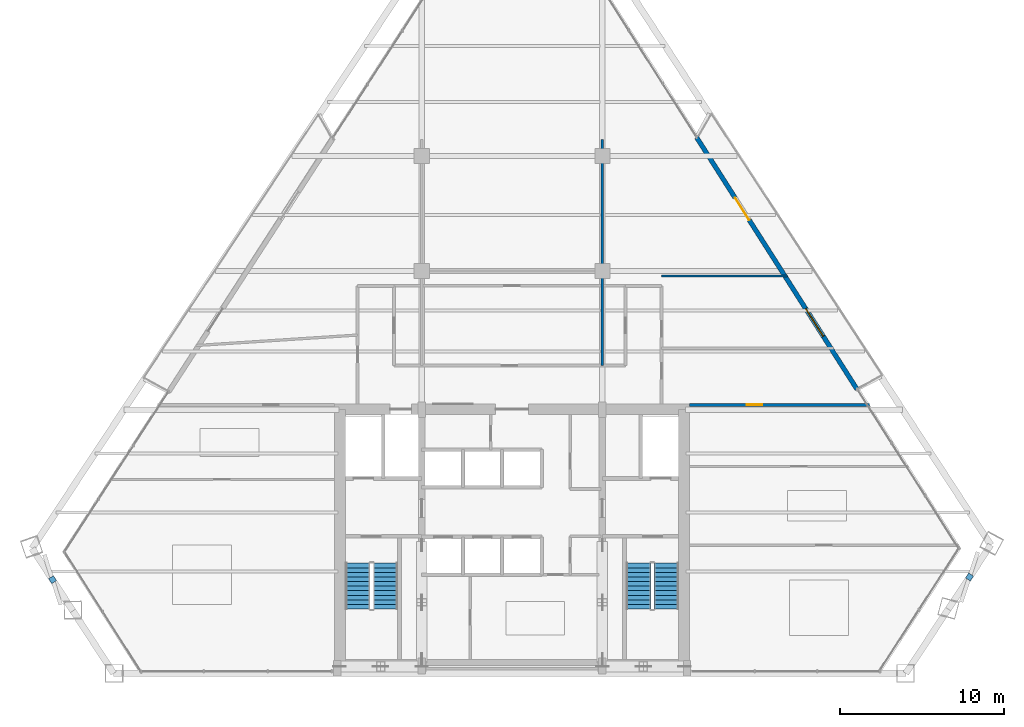
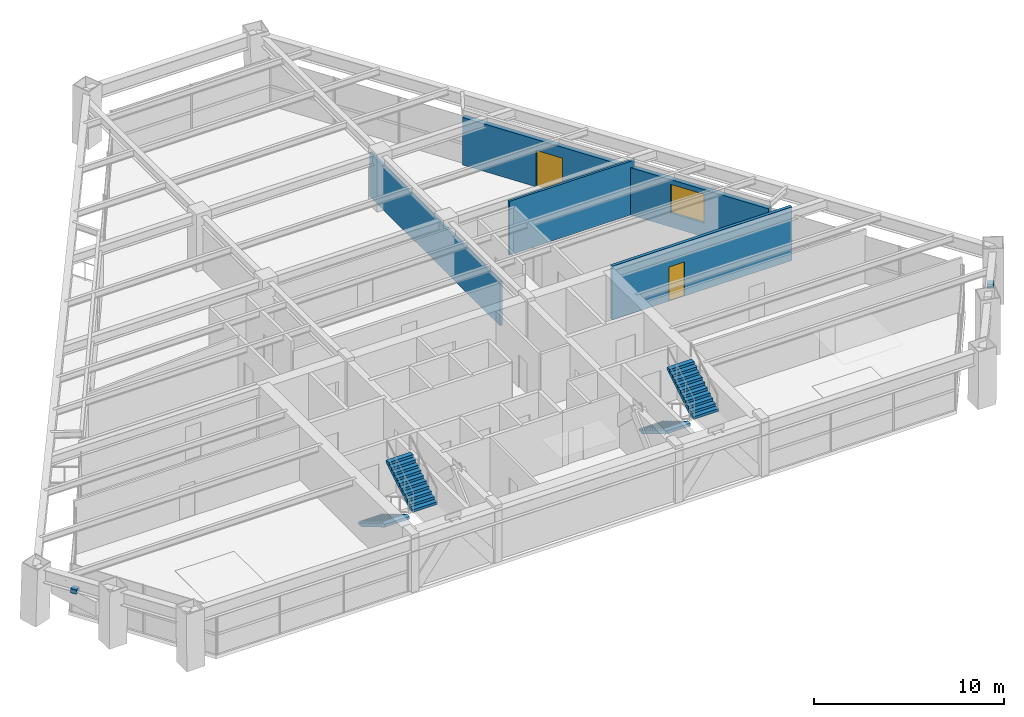
# One storey, part 13 of 15: 4 stair flights, 4 walls, 2 discrete accessories, 2 doors, 1 window, 3 openings, 2 elements without a shape of their own.
"""IFC4 building model written with IfcOpenShell, lengths in metres."""

from ifc_helpers import new_model, si_unit, direction, frame, frame_2d, origin, origin_2d, place, context, subcontext, project, spatial, polyline, rectangle, outline, extrude, source, transform, mapped, material, layer, layer_set, type_object, type_shapes, element, fill, aggregate, save


model = new_model("IFC4")

# Units and contexts
model_context = context("Model", 3, precision=1e-05, world=origin(), true_north=direction((0.0, 1.0)))
body_context = subcontext(model_context, "Body", "Model", "MODEL_VIEW")
ifc_project = project(units=[si_unit("LENGTHUNIT", "METRE"), si_unit("AREAUNIT", "SQUARE_METRE"), si_unit("VOLUMEUNIT", "CUBIC_METRE"), si_unit("PLANEANGLEUNIT", "RADIAN"), si_unit("MASSUNIT", "GRAM", prefix="KILO")], contexts=[model_context])

# Site, building, storey
site_placement = place(None, origin())
site = spatial("IfcSite", under=ifc_project, at=site_placement, CompositionType="ELEMENT")
building_placement = place(site_placement, origin())
building = spatial("IfcBuilding", under=site, at=building_placement, Name="Varnakhor Terracotta Tower", CompositionType="ELEMENT")
storey_placement = place(building_placement, frame((0.0, 0.0, 144.10009765625)))
storey = spatial("IfcBuildingStorey", under=building, at=storey_placement, Name="L36", CompositionType="ELEMENT", Elevation=144.10009765625)

# Wall, opening, door
ifc_material_1 = material(Name="Fire-Rated Gypsum Stud Partition", Category="gypsum")
ifc_layer_1 = layer(ifc_material_1, 0.18505859375, Name="Fire-Rated Gypsum Stud Partition")
ifc_layer_set_1 = layer_set([ifc_layer_1], Name="Fire-Rated Gypsum Stud Partition")
wall_type_1 = type_object("IfcWallType", Name="WAL-CORR-185", PredefinedType="PARTITIONING", material=ifc_layer_set_1)
wall_1_placement = place(storey_placement, frame((10.820068359375, 16.35009765625, 0.0), z_axis=(0.0, 0.0, 1.0), x_axis=(1.0, 0.0, 0.0)))
wall_1 = element("IfcWall", 1, at=wall_1_placement, inside=storey, type_object=wall_type_1, Name="L36 South East Entry Wall", PredefinedType="PARTITIONING", context=body_context, shape_type="SweptSolid", body=[
    extrude(rectangle(XDim=10.94384765625, YDim=0.18505859375, at=frame_2d((5.471923828125, 0.0))), origin(), (0.0, 0.0, 1.0), 3.4619140625),
])
opening_1_placement = place(wall_1_placement, frame((3.45751953125, 0.0, 0.0)))
opening_1 = element("IfcOpeningElement", 2, at=opening_1_placement, cuts=wall_1, Name="Opening DR-94", PredefinedType="OPENING", context=body_context, shape_type="SweptSolid", body=[
    extrude(rectangle(XDim=0.949951171875, YDim=2.199951171875, at=frame_2d((0.47509765625, 1.10009765625))), frame((0.0, 0.1025390625, 0.0), z_axis=(0.0, -1.0, 0.0), x_axis=(1.0, 0.0, 0.0)), (0.0, 0.0, 1.0), 0.205078125),
])
ifc_material_2 = material(Name="Acoustic Glazed-Vision Timber Office Door", Category="wood")
door_type_1 = type_object("IfcDoorType", Name="DR-OFF-950X2200", OperationType="NOTDEFINED", PredefinedType="DOOR", material=ifc_material_2)
shared_shape_1 = source(origin(), body_context, "Body", "SweptSolid", [
    extrude(rectangle(XDim=0.949951171875, YDim=2.199951171875, at=frame_2d((0.47509765625, 1.10009765625))), frame((0.0, 0.02490234375, 0.0), z_axis=(0.0, -1.0, 0.0), x_axis=(1.0, 0.0, 0.0)), (0.0, 0.0, 1.0), 0.050048828125),
])
type_shapes(door_type_1, [shared_shape_1])
door_1_placement = place(opening_1_placement, origin())
door_1 = element("IfcDoor", 3, at=door_1_placement, inside=storey, type_object=door_type_1, Name="L36 SE Suite Door", OperationType="SINGLE_SWING_RIGHT", OverallHeight=2.199951171875, OverallWidth=0.949951171875, PredefinedType="DOOR", context=body_context, shape_type="MappedRepresentation", body=[
    mapped(shared_shape_1, transform((0.0, 0.0, 0.0), scale=1.0)),
])
fill(opening_1, door_1)

# Wall, openings, door, window
ifc_material_3 = material(Name="Extruded Architectural Terracotta Assembly", Category="masonry")
ifc_layer_2 = layer(ifc_material_3, 0.280029296875, Name="Extruded Architectural Terracotta Assembly")
ifc_layer_set_2 = layer_set([ifc_layer_2], Name="Extruded Architectural Terracotta Assembly")
wall_type_2 = type_object("IfcWallType", Name="WAL-EXT-TERRACOTTA-280", PredefinedType="SOLIDWALL", material=ifc_layer_set_2)
wall_2_placement = place(storey_placement, frame((11.232666015625, 32.64453125, 0.0), z_axis=(0.0, 0.0, 1.0), x_axis=(0.537170652274, -0.843473586033, 0.0)))
wall_2 = element("IfcWall", 4, at=wall_2_placement, inside=storey, type_object=wall_type_2, Name="L36 E Loggia Insulated Terracotta Wall", PredefinedType="SOLIDWALL", context=body_context, shape_type="SweptSolid", body=[
    extrude(rectangle(XDim=18.1953125, YDim=0.280029296875, at=frame_2d((9.09765625, 0.0))), origin(), (0.0, 0.0, 1.0), 3.0498046875),
])
opening_2_placement = place(wall_2_placement, frame((4.366943359375, 0.0, 0.0)))
opening_2 = element("IfcOpeningElement", 5, at=opening_2_placement, cuts=wall_2, Name="Opening DR-62", PredefinedType="OPENING", context=body_context, shape_type="SweptSolid", body=[
    extrude(rectangle(XDim=1.60009765625, YDim=2.35009765625, at=frame_2d((0.800048828125, 1.175048828125))), frame((0.0, 0.14990234375, 0.0), z_axis=(0.0, -1.0, 0.0), x_axis=(1.0, 0.0, 0.0)), (0.0, 0.0, 1.0), 0.300048828125),
])
opening_3_placement = place(wall_2_placement, frame((12.372802734375, 0.0, 0.89990234375)))
opening_3 = element("IfcOpeningElement", 6, at=opening_3_placement, cuts=wall_2, Name="Opening WN-26", PredefinedType="OPENING", context=body_context, shape_type="SweptSolid", body=[
    extrude(rectangle(XDim=2.0, YDim=1.85009765625, at=frame_2d((1.0, 0.925048828125))), frame((0.0, 0.14990234375, 0.0), z_axis=(0.0, -1.0, 0.0), x_axis=(1.0, 0.0, 0.0)), (0.0, 0.0, 1.0), 0.300048828125),
])
ifc_material_4 = material(Name="Thermally Broken Sliding Glass Loggia Door", Category="glass")
door_type_2 = type_object("IfcDoorType", Name="DR-EXT-LOGGIA-1600X2350", OperationType="NOTDEFINED", PredefinedType="DOOR", material=ifc_material_4)
shared_shape_2 = source(origin(), body_context, "Body", "SweptSolid", [
    extrude(rectangle(XDim=1.60009765625, YDim=2.35009765625, at=frame_2d((0.800048828125, 1.175048828125))), frame((0.0, 0.02490234375, 0.0), z_axis=(0.0, -1.0, 0.0), x_axis=(1.0, 0.0, 0.0)), (0.0, 0.0, 1.0), 0.050048828125),
])
type_shapes(door_type_2, [shared_shape_2])
door_2_placement = place(opening_2_placement, origin())
door_2 = element("IfcDoor", 7, at=door_2_placement, inside=storey, type_object=door_type_2, Name="L36 E Recessed Loggia Sliding Door", OperationType="SLIDING_TO_RIGHT", OverallHeight=2.35009765625, OverallWidth=1.60009765625, PredefinedType="DOOR", context=body_context, shape_type="MappedRepresentation", body=[
    mapped(shared_shape_2, transform((0.0, 0.0, 0.0), scale=1.0)),
])
fill(opening_2, door_2)
ifc_material_5 = material(Name="Solar-Control Low-E Insulated Glass Unit", Category="glass")
window_type = type_object("IfcWindowType", Name="WIN-OFF-2200X2100", PartitioningType="SINGLE_PANEL", PredefinedType="WINDOW", material=ifc_material_5)
shared_shape_3 = source(origin(), body_context, "Body", "SweptSolid", [
    extrude(rectangle(XDim=2.0, YDim=1.85009765625, at=frame_2d((1.0, 0.925048828125))), frame((0.0, 0.030029296875, 0.0), z_axis=(0.0, -1.0, 0.0), x_axis=(1.0, 0.0, 0.0)), (0.0, 0.0, 1.0), 0.06005859375),
])
type_shapes(window_type, [shared_shape_3])
window_placement = place(opening_3_placement, origin())
window = element("IfcWindow", 8, at=window_placement, inside=storey, type_object=window_type, Name="L36 E Facet Punched Window", OverallHeight=1.85009765625, OverallWidth=2.0, PartitioningType="SINGLE_PANEL", PredefinedType="WINDOW", context=body_context, shape_type="MappedRepresentation", body=[
    mapped(shared_shape_3, transform((0.0, 0.0, 0.0), scale=1.0)),
])
fill(opening_3, window)

# Walls
ifc_material_6 = material(Name="Acoustic Metal-Stud Partition", Category="gypsum")
ifc_layer_3 = layer(ifc_material_6, 0.139892578125, Name="Acoustic Metal-Stud Partition")
ifc_layer_set_3 = layer_set([ifc_layer_3], Name="Acoustic Metal-Stud Partition")
wall_type_3 = type_object("IfcWallType", Name="WAL-PART-140", PredefinedType="PARTITIONING", material=ifc_layer_set_3)
wall_3_placement = place(storey_placement, frame((5.5, 18.75, 0.0), z_axis=(0.0, 0.0, 1.0), x_axis=(0.0, 1.0, 0.0)))
element("IfcWall", 9, at=wall_3_placement, inside=storey, type_object=wall_type_3, Name="L36 Center East Column Wall", PredefinedType="PARTITIONING", context=body_context, shape_type="SweptSolid", body=[
    extrude(rectangle(XDim=13.75, YDim=0.139892578125, at=frame_2d((6.875, 0.0))), origin(), (0.0, 0.0, 1.0), 2.845947265625),
])
wall_4_placement = place(storey_placement, frame((9.10009765625, 24.199951171875, 0.0), z_axis=(0.0, 0.0, 1.0), x_axis=(1.0, 0.0, 0.0)))
element("IfcWall", 10, at=wall_4_placement, inside=storey, type_object=wall_type_3, Name="L36 East Wing Cut 4", PredefinedType="PARTITIONING", context=body_context, shape_type="SweptSolid", body=[
    extrude(rectangle(XDim=7.66455078125, YDim=0.139892578125, at=frame_2d((3.832275390625, 0.0))), origin(), (0.0, 0.0, 1.0), 3.4619140625),
])

# Stair, stair flights
ifc_material_7 = material(Name="Concrete C40/50", Category="concrete")
stair_type = type_object("IfcStairType", Name="STR-CORE-OFFICE-1500", PredefinedType="HALF_TURN_STAIR", material=ifc_material_7)
stair_1_placement = place(storey_placement, origin())
stair_1 = element("IfcStair", 11, at=stair_1_placement, inside=storey, type_object=stair_type, Name="L36 Core Exit Stair ST-1", PredefinedType="HALF_TURN_STAIR")
stair_flight_type = type_object("IfcStairFlightType", Name="FLT-CORE-1500", PredefinedType="STRAIGHT", material=ifc_material_7)
stair_flight_1_placement = place(storey_placement, frame((-9.39990234375, 6.7099609375, 0.0), z_axis=(0.0, 0.0, 1.0), x_axis=(0.0, -1.0, 0.0)))
stair_flight_1 = element("IfcStairFlight", 12, at=stair_flight_1_placement, type_object=stair_flight_type, Name="ST-1 flight 1", NumberOfRisers=11, NumberOfTreads=10, PredefinedType="STRAIGHT", RiserHeight=0.168181818, TreadLength=0.28, context=body_context, shape_type="SweptSolid", body=[
    extrude(outline(polyline([(0.0, 0.0), (0.0, 0.168212890625), (0.280029296875, 0.168212890625), (0.280029296875, 0.33642578125), (0.56005859375, 0.33642578125), (0.56005859375, 0.504638671875), (0.840087890625, 0.504638671875), (0.840087890625, 0.672607421875), (1.1201171875, 0.672607421875), (1.1201171875, 0.8408203125), (1.39990234375, 0.8408203125), (1.39990234375, 1.009033203125), (1.679931640625, 1.009033203125), (1.679931640625, 1.17724609375), (1.9599609375, 1.17724609375), (1.9599609375, 1.345458984375), (2.239990234375, 1.345458984375), (2.239990234375, 1.513671875), (2.52001953125, 1.513671875), (2.52001953125, 1.681884765625), (2.800048828125, 1.681884765625), (2.800048828125, 1.85009765625), (2.800048828125, 1.495361328125), (0.310546875, 0.0), (0.0, 0.0)])), frame((0.0, 0.75, 0.0), z_axis=(0.0, -1.0, 0.0), x_axis=(1.0, 0.0, 0.0)), (0.0, 0.0, 1.0), 1.5),
])
stair_flight_2_placement = place(storey_placement, frame((-7.699951171875, 3.909912109375, 1.849853515625), z_axis=(0.0, 0.0, 1.0), x_axis=(0.0, 1.0, 0.0)))
stair_flight_2 = element("IfcStairFlight", 13, at=stair_flight_2_placement, type_object=stair_flight_type, Name="ST-1 flight 2", NumberOfRisers=11, NumberOfTreads=10, PredefinedType="STRAIGHT", RiserHeight=0.168181818, TreadLength=0.28, context=body_context, shape_type="SweptSolid", body=[
    extrude(outline(polyline([(0.0, 0.0), (0.0, 0.168212890625), (0.280029296875, 0.168212890625), (0.280029296875, 0.33642578125), (0.56005859375, 0.33642578125), (0.56005859375, 0.504638671875), (0.840087890625, 0.504638671875), (0.840087890625, 0.672607421875), (1.1201171875, 0.672607421875), (1.1201171875, 0.8408203125), (1.39990234375, 0.8408203125), (1.39990234375, 1.009033203125), (1.679931640625, 1.009033203125), (1.679931640625, 1.17724609375), (1.9599609375, 1.17724609375), (1.9599609375, 1.345458984375), (2.239990234375, 1.345458984375), (2.239990234375, 1.513671875), (2.52001953125, 1.513671875), (2.52001953125, 1.681884765625), (2.800048828125, 1.681884765625), (2.800048828125, 1.85009765625), (2.800048828125, 1.495361328125), (0.310546875, 0.0), (0.0, 0.0)])), frame((0.0, 0.75, 0.0), z_axis=(0.0, -1.0, 0.0), x_axis=(1.0, 0.0, 0.0)), (0.0, 0.0, 1.0), 1.5),
])
aggregate(stair_1, [stair_flight_1, stair_flight_2])

stair_2_placement = place(storey_placement, origin())
stair_2 = element("IfcStair", 14, at=stair_2_placement, inside=storey, type_object=stair_type, Name="L36 Core Exit Stair ST-2", PredefinedType="HALF_TURN_STAIR")
stair_flight_3_placement = place(storey_placement, frame((7.699951171875, 6.7099609375, 0.0), z_axis=(0.0, 0.0, 1.0), x_axis=(0.0, -1.0, 0.0)))
stair_flight_3 = element("IfcStairFlight", 15, at=stair_flight_3_placement, type_object=stair_flight_type, Name="ST-2 flight 1", NumberOfRisers=11, NumberOfTreads=10, PredefinedType="STRAIGHT", RiserHeight=0.168181818, TreadLength=0.28, context=body_context, shape_type="SweptSolid", body=[
    extrude(outline(polyline([(0.0, 0.0), (0.0, 0.168212890625), (0.280029296875, 0.168212890625), (0.280029296875, 0.33642578125), (0.56005859375, 0.33642578125), (0.56005859375, 0.504638671875), (0.840087890625, 0.504638671875), (0.840087890625, 0.672607421875), (1.1201171875, 0.672607421875), (1.1201171875, 0.8408203125), (1.39990234375, 0.8408203125), (1.39990234375, 1.009033203125), (1.679931640625, 1.009033203125), (1.679931640625, 1.17724609375), (1.9599609375, 1.17724609375), (1.9599609375, 1.345458984375), (2.239990234375, 1.345458984375), (2.239990234375, 1.513671875), (2.52001953125, 1.513671875), (2.52001953125, 1.681884765625), (2.800048828125, 1.681884765625), (2.800048828125, 1.85009765625), (2.800048828125, 1.495361328125), (0.310546875, 0.0), (0.0, 0.0)])), frame((0.0, 0.75, 0.0), z_axis=(0.0, -1.0, 0.0), x_axis=(1.0, 0.0, 0.0)), (0.0, 0.0, 1.0), 1.5),
])
stair_flight_4_placement = place(storey_placement, frame((9.39990234375, 3.909912109375, 1.849853515625), z_axis=(0.0, 0.0, 1.0), x_axis=(0.0, 1.0, 0.0)))
stair_flight_4 = element("IfcStairFlight", 16, at=stair_flight_4_placement, type_object=stair_flight_type, Name="ST-2 flight 2", NumberOfRisers=11, NumberOfTreads=10, PredefinedType="STRAIGHT", RiserHeight=0.168181818, TreadLength=0.28, context=body_context, shape_type="SweptSolid", body=[
    extrude(outline(polyline([(0.0, 0.0), (0.0, 0.168212890625), (0.280029296875, 0.168212890625), (0.280029296875, 0.33642578125), (0.56005859375, 0.33642578125), (0.56005859375, 0.504638671875), (0.840087890625, 0.504638671875), (0.840087890625, 0.672607421875), (1.1201171875, 0.672607421875), (1.1201171875, 0.8408203125), (1.39990234375, 0.8408203125), (1.39990234375, 1.009033203125), (1.679931640625, 1.009033203125), (1.679931640625, 1.17724609375), (1.9599609375, 1.17724609375), (1.9599609375, 1.345458984375), (2.239990234375, 1.345458984375), (2.239990234375, 1.513671875), (2.52001953125, 1.513671875), (2.52001953125, 1.681884765625), (2.800048828125, 1.681884765625), (2.800048828125, 1.85009765625), (2.800048828125, 1.495361328125), (0.310546875, 0.0), (0.0, 0.0)])), frame((0.0, 0.75, 0.0), z_axis=(0.0, -1.0, 0.0), x_axis=(1.0, 0.0, 0.0)), (0.0, 0.0, 1.0), 1.5),
])
aggregate(stair_2, [stair_flight_3, stair_flight_4])

# Discrete accessories
ifc_material_8 = material(Name="Stainless Steel Fixing Bracket", Category="steel")
discrete_accessory_type = type_object("IfcDiscreteAccessoryType", Name="BRACKET-TERRACOTTA-SCREEN", PredefinedType="BRACKET", material=ifc_material_8)
shared_shape_4 = source(origin(), body_context, "Body", "SweptSolid", [
    extrude(rectangle(XDim=0.35009765625, YDim=0.35009765625, at=origin_2d()), origin(), (0.0, 0.0, 1.0), 0.280029296875),
])
type_shapes(discrete_accessory_type, [shared_shape_4])
for number, where, z_axis, x_axis, name in (
    (17, (27.856201171875, 5.86474609375, 2.48486328125), (0.0, 0.0, 1.0), (0.55176232457, 0.834001401189, 0.0), "L36 E Screen Fixing Bracket"),
    (18, (-27.980712890625, 5.703125, 2.48486328125), (0.0, 0.0, 1.0), (0.546438198851, -0.837499429753, 0.0), "L36 W Screen Fixing Bracket"),
):
    element("IfcDiscreteAccessory", number, at=place(storey_placement, frame(where, z_axis=z_axis, x_axis=x_axis)), inside=storey, type_object=discrete_accessory_type, Name=name, PredefinedType="BRACKET", context=body_context, shape_type="MappedRepresentation", body=[
        mapped(shared_shape_4, transform((0.0, 0.0, 0.0), scale=1.0)),
    ])

save(model, "model.ifc")
